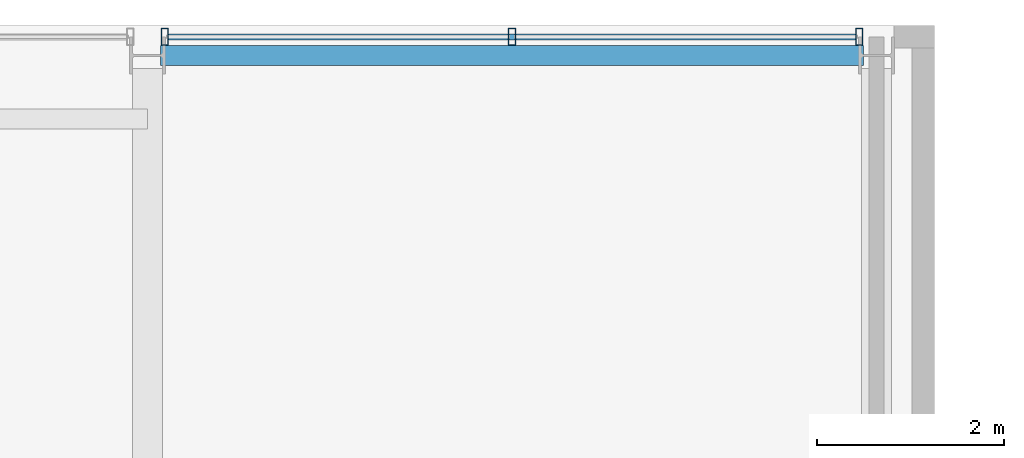
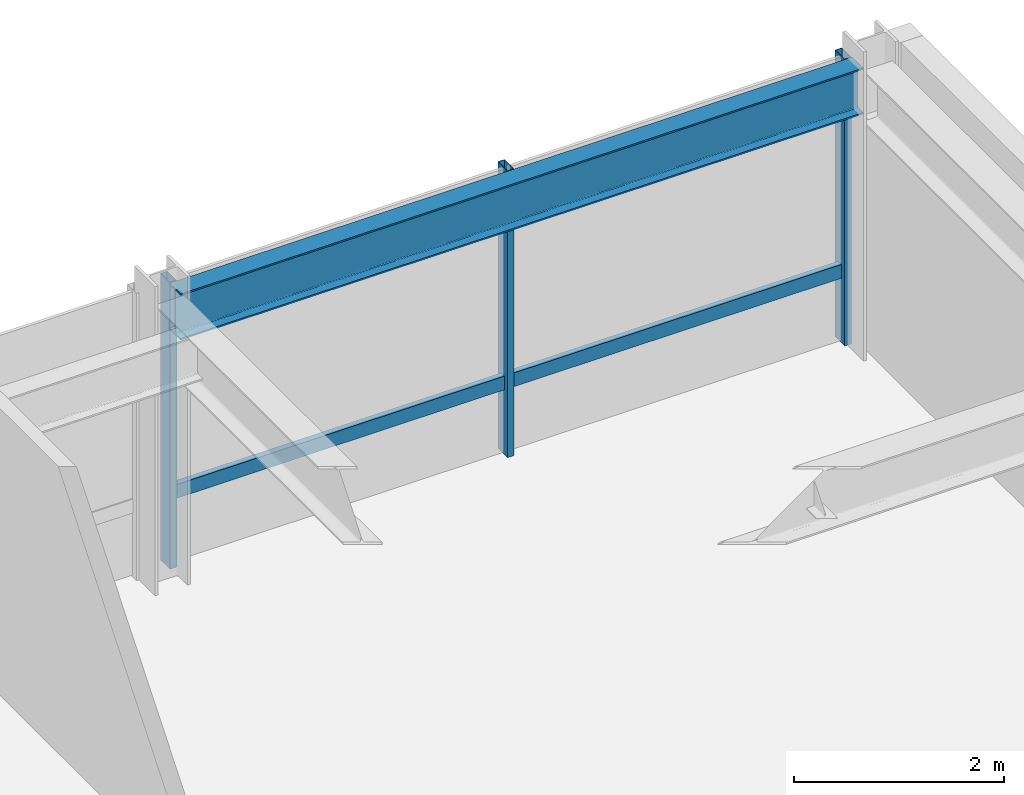
# One storey, part 24 of 31: 4 members, 1 beam, 1 element without a shape of its own.
"""IFC4 building model written with IfcOpenShell, lengths in metres."""

from ifc_helpers import new_model, si_unit, direction, frame, origin, origin_2d, place, context, subcontext, project, spatial, hollow_rectangle, i_section, extrude, material, layer, layer_set, material_profile, profile_set, type_object, element, aggregate, save


model = new_model("IFC4")

# Units and contexts
model_context = context("Model", 3, precision=1e-05, world=origin(), true_north=direction((0.0, 1.0)))
body_context = subcontext(model_context, "Body", "Model", "MODEL_VIEW")
ifc_project = project(units=[si_unit("LENGTHUNIT", "METRE"), si_unit("AREAUNIT", "SQUARE_METRE"), si_unit("VOLUMEUNIT", "CUBIC_METRE"), si_unit("PLANEANGLEUNIT", "RADIAN"), si_unit("MASSUNIT", "GRAM", prefix="KILO")], contexts=[model_context])

# Site, building, storey
site_placement = place(None, origin())
site = spatial("IfcSite", under=ifc_project, at=site_placement, CompositionType="ELEMENT")
building_placement = place(site_placement, origin())
building = spatial("IfcBuilding", under=site, at=building_placement, Name="Drelvath Grand Hotel", CompositionType="ELEMENT")
storey_placement = place(building_placement, frame((0.0, 0.0, 230.300048828125)))
storey = spatial("IfcBuildingStorey", under=building, at=storey_placement, Name="L60", CompositionType="ELEMENT", Elevation=230.300048828125)

# Curtain wall, members
ifc_material_1 = material(Name="Platinum-Mist Anodised Aluminium Frame", Category="aluminium")
ifc_layer = layer(ifc_material_1, 0.199951171875)
ifc_layer_set = layer_set([ifc_layer], Name="Platinum-Mist Anodised Aluminium Frame")
curtain_wall_type = type_object("IfcCurtainWallType", Name="Stick Curtain Wall CW-05 Platinum Mist High-Rise", PredefinedType="NOTDEFINED", material=ifc_layer_set)
curtain_wall_placement = place(storey_placement, origin())
curtain_wall = element("IfcCurtainWall", 1, at=curtain_wall_placement, inside=storey, type_object=curtain_wall_type, Name="L60 CW-05 Curtain Wall CW05-L60-NE2", PredefinedType="NOTDEFINED")
ifc_material_profile_1 = material_profile(ifc_material_1, hollow_rectangle(XDim=0.06494140625, YDim=0.159912109375, WallThickness=0.00390625, at=origin_2d()), Name="HSS160X65X4")
ifc_profile_set_1 = profile_set([ifc_material_profile_1], Name="Platinum-Mist Anodised Aluminium Frame")
member_type_1 = type_object("IfcMemberType", Name="Curtain Wall Horizontal Transom CW-05 HSS160X65X4", PredefinedType="USERDEFINED", material=ifc_profile_set_1)
member_1_placement = place(storey_placement, frame((8.625244140625, 49.080078125, 0.8349609375), z_axis=(1.0, 0.0, 0.0), x_axis=(0.0, 1.0, 0.0)))
member_1 = element("IfcMember", 2, at=member_1_placement, type_object=member_type_1, Name="CW05-L60-NE2 Sill Transom", ObjectType="TRANSOM", PredefinedType="USERDEFINED", context=body_context, shape_type="SweptSolid", body=[
    extrude(hollow_rectangle(XDim=0.06494140625, YDim=0.159912109375, WallThickness=0.00390625, at=origin_2d()), origin(), (0.0, 0.0, 1.0), 7.349365234375),
])
ifc_material_profile_2 = material_profile(ifc_material_1, hollow_rectangle(XDim=0.074951171875, YDim=0.179931640625, WallThickness=0.0048828125, at=origin_2d()), Name="HSS180X75X5")
ifc_profile_set_2 = profile_set([ifc_material_profile_2], Name="Platinum-Mist Anodised Aluminium Frame")
member_type_2 = type_object("IfcMemberType", Name="Curtain Wall Vertical Mullion CW-05 HSS180X75X5", PredefinedType="MULLION", material=ifc_profile_set_2)
member_2_placement = place(storey_placement, frame((8.585205078125, 49.080078125, 0.0), z_axis=(0.0, 0.0, 1.0), x_axis=(1.0, 0.0, 0.0)))
member_2 = element("IfcMember", 3, at=member_2_placement, type_object=member_type_2, Name="CW05-L60-NE2 Mullion 1", PredefinedType="MULLION", context=body_context, shape_type="SweptSolid", body=[
    extrude(hollow_rectangle(XDim=0.074951171875, YDim=0.179931640625, WallThickness=0.0048828125, at=origin_2d()), origin(), (0.0, 0.0, 1.0), 3.33984375),
])
member_3_placement = place(storey_placement, frame((12.300048828125, 49.080078125, 0.0), z_axis=(0.0, 0.0, 1.0), x_axis=(1.0, 0.0, 0.0)))
member_3 = element("IfcMember", 4, at=member_3_placement, type_object=member_type_2, Name="CW05-L60-NE2 Mullion 2", PredefinedType="MULLION", context=body_context, shape_type="SweptSolid", body=[
    extrude(hollow_rectangle(XDim=0.074951171875, YDim=0.179931640625, WallThickness=0.0048828125, at=origin_2d()), origin(), (0.0, 0.0, 1.0), 3.33984375),
])
member_4_placement = place(storey_placement, frame((16.0146484375, 49.080078125, 0.0), z_axis=(0.0, 0.0, 1.0), x_axis=(1.0, 0.0, 0.0)))
member_4 = element("IfcMember", 5, at=member_4_placement, type_object=member_type_2, Name="CW05-L60-NE2 Mullion 3", PredefinedType="MULLION", context=body_context, shape_type="SweptSolid", body=[
    extrude(hollow_rectangle(XDim=0.074951171875, YDim=0.179931640625, WallThickness=0.0048828125, at=origin_2d()), origin(), (0.0, 0.0, 1.0), 3.33984375),
])
aggregate(curtain_wall, [member_2, member_3, member_4, member_1])

# Beam
ifc_material_2 = material(Name="Steel ASTM A992 Gr 50", Category="steel")
ifc_material_profile_3 = material_profile(ifc_material_2, i_section(OverallWidth=0.210205078125, OverallDepth=0.53662109375, WebThickness=0.010986328125, FlangeThickness=0.017333984375, FilletRadius=0.01806640625, at=origin_2d()), Name="W21X68")
ifc_profile_set_3 = profile_set([ifc_material_profile_3], Name="Steel ASTM A992 Gr 50")
beam_type = type_object("IfcBeamType", Name="Perimeter Spandrel Beam W21X68", PredefinedType="SPANDREL", material=ifc_profile_set_3)
beam_placement = place(storey_placement, frame((8.5400390625, 48.8798828125, 3.071533203125), z_axis=(1.0, 0.0, 0.0), x_axis=(0.0, 1.0, 0.0)))
element("IfcBeam", 6, at=beam_placement, inside=storey, type_object=beam_type, Name="L60 Spandrel North E", PredefinedType="SPANDREL", context=body_context, shape_type="SweptSolid", body=[
    extrude(i_section(OverallWidth=0.210205078125, OverallDepth=0.53662109375, WebThickness=0.010986328125, FlangeThickness=0.017333984375, FilletRadius=0.01806640625, at=origin_2d()), origin(), (0.0, 0.0, 1.0), 7.52001953125),
])

save(model, "model.ifc")
